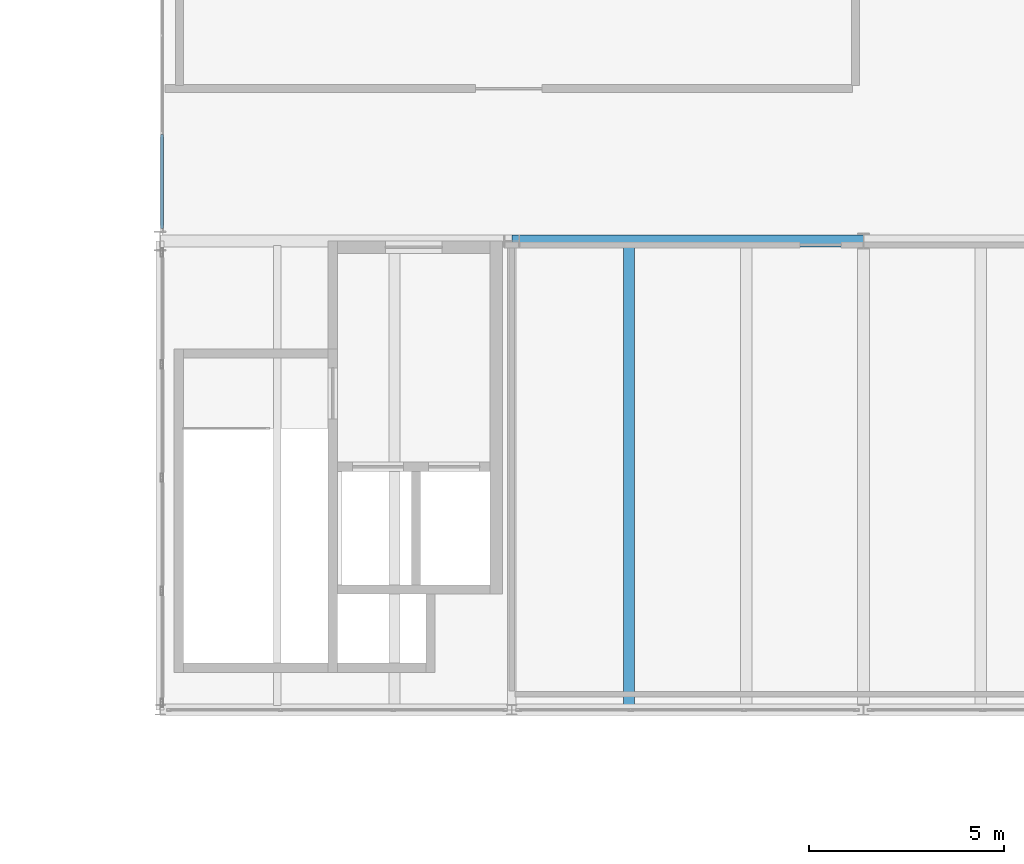
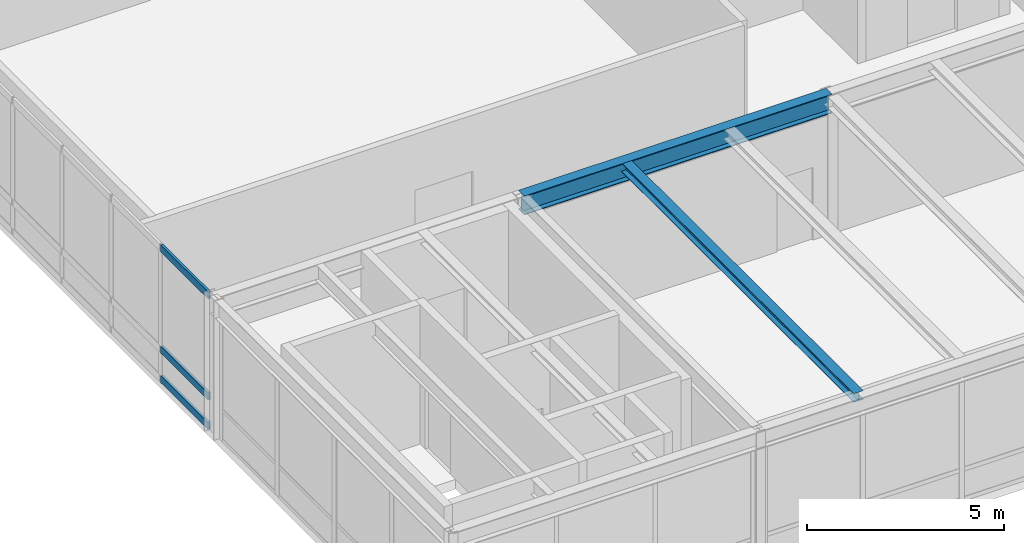
# One storey, part 23 of 67: 3 members, 2 beams, 1 element without a shape of its own.
"""IFC4 building model written with IfcOpenShell, lengths in metres."""

import ifcopenshell
import ifcopenshell.guid

model = None  # the IFC model being written
_history = None  # IfcOwnerHistory: only IFC2X3 demands one
_inside = {}  # id of a spatial element -> (the spatial element, [elements in it])
_under = {}  # id of a project, library or spatial element -> (it, [spatial elements below it])
_declared = {}  # id of a project -> (the project, [libraries it declares])
_typed = {}  # id of a type object -> (the type object, [elements of that type])
_made_of = {}  # id of a material, layer set ... -> (it, [elements and type objects made of it])


def new_model(schema):
    """Start an empty IFC model of exactly this schema.

    Asked for "IFC4X3", IfcOpenShell would pick the latest addendum, in which some entities
    have other attributes; the version numbers below select the first issue.
    IFC2X3 requires an IfcOwnerHistory on every rooted entity: one is made here for all.
    """
    global model, _history
    if schema == "IFC4X3":
        model = ifcopenshell.file(schema_version=(4, 3, 0, 0))
    else:
        model = ifcopenshell.file(schema=schema)
    _inside.clear()
    _under.clear()
    _declared.clear()
    _typed.clear()
    _made_of.clear()
    _history = None
    if model.schema == "IFC2X3":
        org = make("IfcOrganization", Name="unknown")
        user = make(
            "IfcPersonAndOrganization",
            ThePerson=make("IfcPerson", FamilyName="unknown"),
            TheOrganization=org,
        )
        app = make(
            "IfcApplication",
            ApplicationDeveloper=org,
            Version="unknown",
            ApplicationFullName="unknown",
            ApplicationIdentifier="unknown",
        )
        _history = make(
            "IfcOwnerHistory",
            OwningUser=user,
            OwningApplication=app,
            ChangeAction="ADDED",
            CreationDate=0,
        )
    return model


def make(cls, **values):
    """One entity of the class cls with the attributes given. An attribute that is None is left unset."""
    return model.create_entity(
        cls, **{name: value for name, value in values.items() if value is not None}
    )


def rooted(cls, **values):
    """An entity with a GlobalId (a new one), such as an element, a storey or a relation."""
    return make(cls, GlobalId=ifcopenshell.guid.new(), OwnerHistory=_history, **values)


def si_unit(unit_type, name, prefix=None):
    """IfcSIUnit, for example si_unit("LENGTHUNIT", "METRE", prefix="MILLI")."""
    return make("IfcSIUnit", UnitType=unit_type, Prefix=prefix, Name=name)


def assignment(units):
    """IfcUnitAssignment: the units of a project."""
    return None if units is None else make("IfcUnitAssignment", Units=units)


def point(xyz):
    """IfcCartesianPoint."""
    return None if xyz is None else make("IfcCartesianPoint", Coordinates=xyz)


def direction(xyz):
    """IfcDirection."""
    return None if xyz is None else make("IfcDirection", DirectionRatios=xyz)


def frame(location, z_axis=None, x_axis=None):
    """IfcAxis2Placement3D, a coordinate frame: its origin and axes. An axis left out is left unset."""
    return make(
        "IfcAxis2Placement3D",
        Location=point(location),
        Axis=direction(z_axis),
        RefDirection=direction(x_axis),
    )


def frame_2d(location, x_axis=None):
    """IfcAxis2Placement2D, a coordinate frame in the plane: its origin and x axis."""
    return make(
        "IfcAxis2Placement2D", Location=point(location), RefDirection=direction(x_axis)
    )


def origin():
    """The frame at (0, 0, 0) with its axes left unset."""
    return frame((0.0, 0.0, 0.0))


def origin_2d():
    """The frame at (0, 0) in the plane with its x axis left unset."""
    return frame_2d((0.0, 0.0))


def place(relative_to, where):
    """IfcLocalPlacement: puts the frame where relative to a parent placement (None: the world)."""
    return make(
        "IfcLocalPlacement", PlacementRelTo=relative_to, RelativePlacement=where
    )


def context(
    kind, dimensions, precision=None, world=None, true_north=None, identifier=None
):
    """IfcGeometricRepresentationContext, for example the 3D "Model" context."""
    return make(
        "IfcGeometricRepresentationContext",
        ContextIdentifier=identifier,
        ContextType=kind,
        CoordinateSpaceDimension=dimensions,
        Precision=precision,
        WorldCoordinateSystem=world,
        TrueNorth=true_north,
    )


def subcontext(parent, identifier, kind, view, scale=None):
    """IfcGeometricRepresentationSubContext, for example "Body" below "Model"."""
    return make(
        "IfcGeometricRepresentationSubContext",
        ContextIdentifier=identifier,
        ContextType=kind,
        ParentContext=parent,
        TargetScale=scale,
        TargetView=view,
    )


def project(units=None, contexts=None):
    """IfcProject with its units and contexts."""
    return rooted(
        "IfcProject",
        Name="project",
        RepresentationContexts=contexts,
        UnitsInContext=assignment(units),
    )


def spatial(cls, under=None, at=None, **own):
    """A site, building, storey or space (cls), placed at a placement, below another one or the project."""
    s = rooted(cls, ObjectPlacement=at, **own)
    if under is not None:
        _under.setdefault(under.id(), (under, []))[1].append(s)
    return s


def profile(cls, at=None, kind="AREA", **sizes):
    """A parametric profile (cls). Its sizes go by their IFC names, for example OverallWidth=200.0."""
    return make(cls, ProfileType=kind, Position=at, **sizes)


def hollow_rectangle(**sizes):
    """IfcRectangleHollowProfileDef."""
    return profile("IfcRectangleHollowProfileDef", **sizes)


def i_section(**sizes):
    """IfcIShapeProfileDef."""
    return profile("IfcIShapeProfileDef", **sizes)


def extrude(swept, where, along, depth):
    """IfcExtrudedAreaSolid: the profile swept, set in the frame where, extruded along a direction by depth."""
    return make(
        "IfcExtrudedAreaSolid",
        SweptArea=swept,
        Position=where,
        ExtrudedDirection=direction(along),
        Depth=depth,
    )


def shape(context_of_items, identifier, shape_type, items):
    """IfcShapeRepresentation: the items that make up one representation, for example the "Body"."""
    return make(
        "IfcShapeRepresentation",
        ContextOfItems=context_of_items,
        RepresentationIdentifier=identifier,
        RepresentationType=shape_type,
        Items=items,
    )


def material(Name=None, Category=None):
    """IfcMaterial."""
    return make("IfcMaterial", Name=Name, Category=Category)


def layer(
    of_material, thickness, ventilated=None, Name=None, Category=None, Priority=None
):
    """IfcMaterialLayer: one layer of a wall or slab, of a material (None: an air gap)."""
    return make(
        "IfcMaterialLayer",
        Material=of_material,
        LayerThickness=thickness,
        IsVentilated=ventilated,
        Name=Name,
        Category=Category,
        Priority=Priority,
    )


def layer_set(layers, Name=None):
    """IfcMaterialLayerSet."""
    return make("IfcMaterialLayerSet", MaterialLayers=layers, LayerSetName=Name)


def material_profile(
    of_material, cross_section, Name=None, Category=None, Priority=None
):
    """IfcMaterialProfile: a cross section and its material."""
    return make(
        "IfcMaterialProfile",
        Name=Name,
        Material=of_material,
        Profile=cross_section,
        Priority=Priority,
        Category=Category,
    )


def profile_set(profiles, Name=None, composite=None):
    """IfcMaterialProfileSet."""
    return make(
        "IfcMaterialProfileSet",
        Name=Name,
        MaterialProfiles=profiles,
        CompositeProfile=composite,
    )


def made_of(thing, what):
    """Note that an element or type object is made of a material, layer set ...; save() writes the relation."""
    if what is not None:
        _made_of.setdefault(what.id(), (what, []))[1].append(thing)
    return thing


def type_object(cls, material=None, **own):
    """A type object (cls), such as IfcWallType, which elements share."""
    return made_of(rooted(cls, **own), material)


def element(
    cls,
    number,
    at=None,
    inside=None,
    cuts=None,
    type_object=None,
    material=None,
    context=None,
    identifier="Body",
    shape_type=None,
    held_by="IfcProductDefinitionShape",
    body=None,
    shapes=None,
    **own,
):
    """One element of the class cls, such as IfcWall. Its Tag is "e" and its number.

    at: its placement. inside: the storey or other place that contains it. cuts: it is an
    opening in that element (IfcRelVoidsElement). A single representation is given by context,
    identifier, shape_type and body (its items); several are given by shapes. held_by: the class
    of the entity that holds the representations. save() writes the other relations.
    """
    e = rooted(cls, Tag="e%d" % number, ObjectPlacement=at, **own)
    if body is not None:
        shapes = [shape(context, identifier, shape_type, body)]
    if shapes is not None:
        e.Representation = make(held_by, Representations=shapes)
    if inside is not None:
        _inside.setdefault(inside.id(), (inside, []))[1].append(e)
    if cuts is not None:
        rooted(
            "IfcRelVoidsElement", RelatingBuildingElement=cuts, RelatedOpeningElement=e
        )
    if type_object is not None:
        _typed.setdefault(type_object.id(), (type_object, []))[1].append(e)
    return made_of(e, material)


def aggregate(whole, parts):
    """IfcRelAggregates: a whole, such as a stair, and the parts it consists of."""
    return rooted("IfcRelAggregates", RelatingObject=whole, RelatedObjects=parts)


def save(model, path):
    """Write the relations noted so far, then the file.

    IfcRelAggregates (storeys below a building ...), IfcRelContainedInSpatialStructure (elements
    in a storey), IfcRelDefinesByType, IfcRelAssociatesMaterial and IfcRelDeclares: one each for
    every whole, place, type object, material and project.
    """
    for whole, parts in _under.values():
        aggregate(whole, parts)
    for where, things in _inside.values():
        rooted(
            "IfcRelContainedInSpatialStructure",
            RelatedElements=things,
            RelatingStructure=where,
        )
    for kind, things in _typed.values():
        rooted("IfcRelDefinesByType", RelatedObjects=things, RelatingType=kind)
    for what, things in _made_of.values():
        rooted("IfcRelAssociatesMaterial", RelatedObjects=things, RelatingMaterial=what)
    for by, libraries in _declared.values():
        rooted("IfcRelDeclares", RelatingContext=by, RelatedDefinitions=libraries)
    model.write(path)


model = new_model("IFC4")

# Units and contexts
model_context = context("Model", 3, precision=1e-05, world=origin(), true_north=direction((0.0, 1.0)))
body_context = subcontext(model_context, "Body", "Model", "MODEL_VIEW")
ifc_project = project(units=[si_unit("LENGTHUNIT", "METRE"), si_unit("AREAUNIT", "SQUARE_METRE"), si_unit("VOLUMEUNIT", "CUBIC_METRE"), si_unit("PLANEANGLEUNIT", "RADIAN"), si_unit("MASSUNIT", "GRAM", prefix="KILO")], contexts=[model_context])

# Site, building, storey
site_placement = place(None, origin())
site = spatial("IfcSite", under=ifc_project, at=site_placement, CompositionType="ELEMENT")
building_placement = place(site_placement, origin())
building = spatial("IfcBuilding", under=site, at=building_placement, Name="Montelvaro Courts of Justice", CompositionType="ELEMENT")
storey_placement = place(building_placement, frame((0.0, 0.0, 18.89990234375)))
storey = spatial("IfcBuildingStorey", under=building, at=storey_placement, Name="L04", CompositionType="ELEMENT", Elevation=18.89990234375)

# Beams
ifc_material_1 = material(Name="Steel S355", Category="steel")
ifc_material_profile_1 = material_profile(ifc_material_1, i_section(OverallWidth=0.280029296875, OverallDepth=0.27001953125, WebThickness=0.008056640625, FlangeThickness=0.012939453125, at=origin_2d()), Name="HEA 280")
ifc_profile_set_1 = profile_set([ifc_material_profile_1], Name="Steel S355")
beam_type_1 = type_object("IfcBeamType", Name="Beam_HEA280", PredefinedType="BEAM", material=ifc_profile_set_1)
beam_1_placement = place(storey_placement, frame((111.0, 66.110107421875, 4.1650390625), z_axis=(0.0, 1.0, 0.0), x_axis=(-1.0, 0.0, 0.0)))
element("IfcBeam", 1, at=beam_1_placement, inside=storey, type_object=beam_type_1, Name="Beam B-14 L04", PredefinedType="BEAM", context=body_context, shape_type="SweptSolid", body=[
    extrude(i_section(OverallWidth=0.280029296875, OverallDepth=0.27001953125, WebThickness=0.008056640625, FlangeThickness=0.012939453125, at=origin_2d()), origin(), (0.0, 0.0, 1.0), 11.77978515625),
])
ifc_material_profile_2 = material_profile(ifc_material_1, i_section(OverallWidth=0.300048828125, OverallDepth=0.590087890625, WebThickness=0.012939453125, FlangeThickness=0.02490234375, at=origin_2d()), Name="HEA 600")
ifc_profile_set_2 = profile_set([ifc_material_profile_2], Name="Steel S355")
beam_type_2 = type_object("IfcBeamType", Name="Beam_HEA600", PredefinedType="USERDEFINED", material=ifc_profile_set_2)
beam_2_placement = place(storey_placement, frame((108.0, 78.0, 4.005126953125), z_axis=(1.0, 0.0, 0.0), x_axis=(0.0, 1.0, 0.0)))
element("IfcBeam", 2, at=beam_2_placement, inside=storey, type_object=beam_type_2, Name="Beam B-21 L04", ObjectType="GIRDER", PredefinedType="USERDEFINED", context=body_context, shape_type="SweptSolid", body=[
    extrude(i_section(OverallWidth=0.300048828125, OverallDepth=0.590087890625, WebThickness=0.012939453125, FlangeThickness=0.02490234375, at=origin_2d()), origin(), (0.0, 0.0, 1.0), 9.0),
])

# Curtain wall, members
ifc_material_2 = material(Name="Anodised aluminium EN AW-6063", Category="aluminium")
ifc_layer = layer(ifc_material_2, 0.159912109375)
ifc_layer_set = layer_set([ifc_layer], Name="Anodised aluminium EN AW-6063")
curtain_wall_type = type_object("IfcCurtainWallType", Name="CurtainWall_33_1747x418", PredefinedType="USERDEFINED", material=ifc_layer_set)
curtain_wall_placement = place(storey_placement, origin())
curtain_wall = element("IfcCurtainWall", 3, at=curtain_wall_placement, inside=storey, type_object=curtain_wall_type, Name="Curtain Wall CW-33 (L04)", ObjectType="CURTAIN WALL", PredefinedType="USERDEFINED")
ifc_material_profile_3 = material_profile(ifc_material_2, hollow_rectangle(XDim=0.074951171875, YDim=0.219970703125, WallThickness=0.005615234375, at=origin_2d()), Name="ALU-T 75x220")
ifc_profile_set_3 = profile_set([ifc_material_profile_3], Name="Anodised aluminium EN AW-6063")
member_type = type_object("IfcMemberType", Name="CurtainWall_Transom_75x220", PredefinedType="USERDEFINED", material=ifc_profile_set_3)
member_1_placement = place(storey_placement, frame((99.050048828125, 80.730712890625, 0.03759765625), z_axis=(0.0, -1.0, 0.0), x_axis=(1.0, 0.0, 0.0)))
member_1 = element("IfcMember", 4, at=member_1_placement, type_object=member_type, Name="CW-33 transom 7.1", ObjectType="TRANSOM", PredefinedType="USERDEFINED", context=body_context, shape_type="SweptSolid", body=[
    extrude(hollow_rectangle(XDim=0.074951171875, YDim=0.219970703125, WallThickness=0.005615234375, at=origin_2d()), origin(), (0.0, 0.0, 1.0), 2.40576171875),
])
member_2_placement = place(storey_placement, frame((99.050048828125, 80.730712890625, 0.9501953125), z_axis=(0.0, -1.0, 0.0), x_axis=(1.0, 0.0, 0.0)))
member_2 = element("IfcMember", 5, at=member_2_placement, type_object=member_type, Name="CW-33 transom 7.2", ObjectType="TRANSOM", PredefinedType="USERDEFINED", context=body_context, shape_type="SweptSolid", body=[
    extrude(hollow_rectangle(XDim=0.074951171875, YDim=0.219970703125, WallThickness=0.005615234375, at=origin_2d()), origin(), (0.0, 0.0, 1.0), 2.40576171875),
])
member_3_placement = place(storey_placement, frame((99.050048828125, 80.730712890625, 4.08251953125), z_axis=(0.0, -1.0, 0.0), x_axis=(1.0, 0.0, 0.0)))
member_3 = element("IfcMember", 6, at=member_3_placement, type_object=member_type, Name="CW-33 transom 7.3", ObjectType="TRANSOM", PredefinedType="USERDEFINED", context=body_context, shape_type="SweptSolid", body=[
    extrude(hollow_rectangle(XDim=0.074951171875, YDim=0.219970703125, WallThickness=0.005615234375, at=origin_2d()), origin(), (0.0, 0.0, 1.0), 2.40576171875),
])
aggregate(curtain_wall, [member_1, member_2, member_3])

save(model, "model.ifc")
